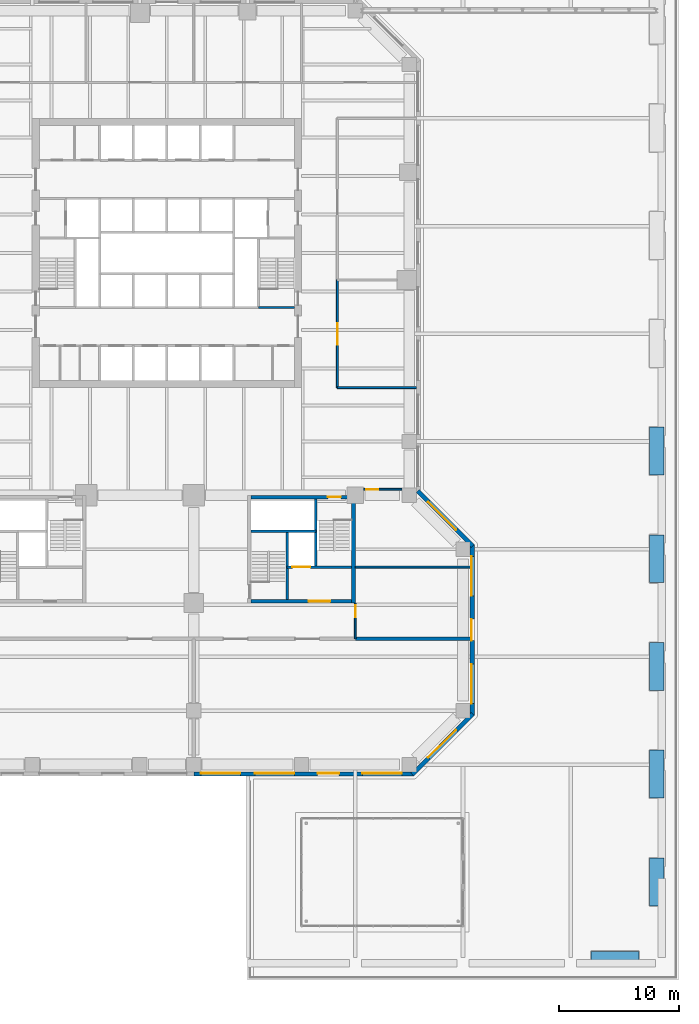
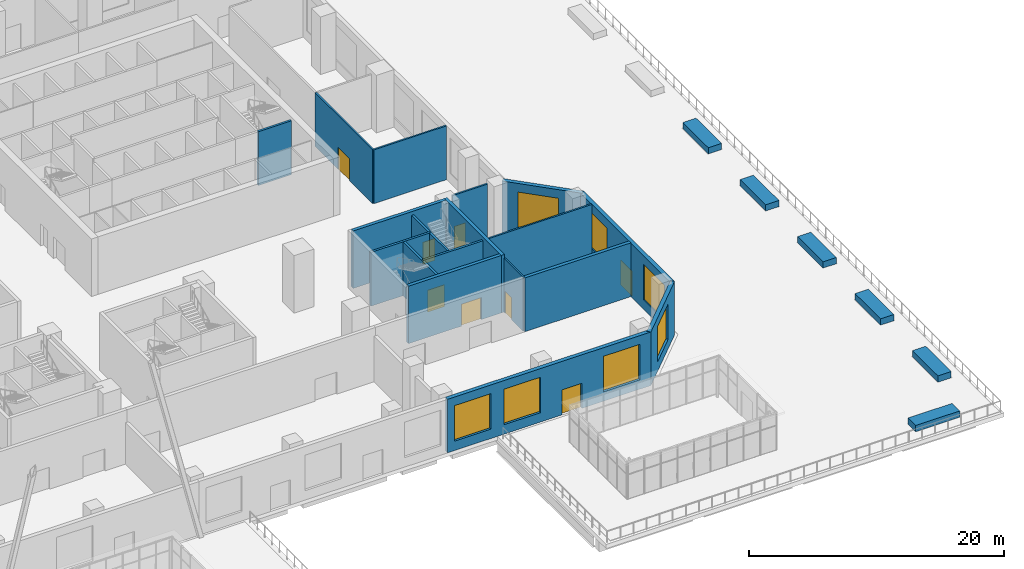
# One storey, part 24 of 33: 24 walls, 8 doors, 7 windows, 15 openings.
"""IFC4 building model written with IfcOpenShell, lengths in metres."""

from ifc_helpers import new_model, si_unit, direction, frame, frame_2d, origin, place, context, subcontext, project, spatial, rectangle, extrude, material, layer, layer_set, constituent, constituent_set, type_object, element, fill, save


model = new_model("IFC4")

# Units and contexts
model_context = context("Model", 3, precision=1e-05, world=origin(), true_north=direction((0.0, 1.0)))
body_context = subcontext(model_context, "Body", "Model", "MODEL_VIEW")
ifc_project = project(units=[si_unit("LENGTHUNIT", "METRE"), si_unit("AREAUNIT", "SQUARE_METRE"), si_unit("VOLUMEUNIT", "CUBIC_METRE"), si_unit("PLANEANGLEUNIT", "RADIAN"), si_unit("MASSUNIT", "GRAM", prefix="KILO")], contexts=[model_context])

# Site, building, storey
site_placement = place(None, origin())
site = spatial("IfcSite", under=ifc_project, at=site_placement, CompositionType="ELEMENT")
building_placement = place(site_placement, origin())
building = spatial("IfcBuilding", under=site, at=building_placement, Name="Quoin Convention Tower", CompositionType="ELEMENT")
storey_placement = place(building_placement, frame((0.0, 0.0, 8.0)))
storey = spatial("IfcBuildingStorey", under=building, at=storey_placement, Name="L01", CompositionType="ELEMENT", Elevation=8.0)

# Wall
ifc_material_1 = material(Name="Plasterboard")
ifc_layer_1 = layer(ifc_material_1, 0.012451171875, Name="Finish")
ifc_material_2 = material(Name="Steel stud framing", Category="steel")
ifc_layer_2 = layer(ifc_material_2, 0.27490234375, Name="Structure")
ifc_layer_3 = layer(ifc_material_1, 0.012451171875, Name="Finish")
ifc_layer_set_1 = layer_set([ifc_layer_1, ifc_layer_2, ifc_layer_3], Name="Steel stud framing")
wall_type_1 = type_object("IfcWallType", Name="Acoustic wall 300", PredefinedType="PARTITIONING", material=ifc_layer_set_1)
wall_1_placement = place(storey_placement, frame((72.0, 28.5, 0.0), z_axis=(0.0, 0.0, 1.0), x_axis=(1.0, 0.0, 0.0)))
element("IfcWall", 1, at=wall_1_placement, inside=storey, type_object=wall_type_1, Name="pw-L01-011", PredefinedType="PARTITIONING", context=body_context, shape_type="SweptSolid", body=[
    extrude(rectangle(XDim=9.60009765625, YDim=0.300048828125, at=frame_2d((4.800048828125, 0.0))), origin(), (0.0, 0.0, 1.0), 5.14990234375),
])

# Wall, openings, windows, door
ifc_material_3 = material(Name="Brick masonry", Category="masonry")
ifc_layer_4 = layer(ifc_material_3, 0.35009765625)
ifc_layer_set_2 = layer_set([ifc_layer_4], Name="Brick masonry")
wall_type_2 = type_object("IfcWallType", Name="Brick facade wall", PredefinedType="STANDARD", material=ifc_layer_set_2)
wall_2_placement = place(storey_placement, frame((58.5, 17.22509765625, 0.0), z_axis=(0.0, 0.0, 1.0), x_axis=(1.0, 0.0, 0.0)))
wall_2 = element("IfcWall", 2, at=wall_2_placement, inside=storey, type_object=wall_type_2, Name="fw-L01-58500_18000", PredefinedType="STANDARD", context=body_context, shape_type="SweptSolid", body=[
    extrude(rectangle(XDim=18.3935546875, YDim=0.35009765625, at=frame_2d((9.19677734375, 0.0))), origin(), (0.0, 0.0, 1.0), 5.125),
])
opening_1_placement = place(wall_2_placement, frame((0.60009765625, 0.0, 0.89990234375)))
opening_1 = element("IfcOpeningElement", 3, at=opening_1_placement, cuts=wall_2, Name="Opening W-04", PredefinedType="OPENING", context=body_context, shape_type="SweptSolid", body=[
    extrude(rectangle(XDim=3.300048828125, YDim=3.39990234375, at=frame_2d((1.64990234375, 1.699951171875))), frame((0.0, 0.18505859375, 0.0), z_axis=(0.0, -1.0, 0.0), x_axis=(1.0, 0.0, 0.0)), (0.0, 0.0, 1.0), 0.3701171875),
])
opening_2_placement = place(wall_2_placement, frame((5.10009765625, 0.0, 0.89990234375)))
opening_2 = element("IfcOpeningElement", 4, at=opening_2_placement, cuts=wall_2, Name="Opening W-04", PredefinedType="OPENING", context=body_context, shape_type="SweptSolid", body=[
    extrude(rectangle(XDim=3.300048828125, YDim=3.39990234375, at=frame_2d((1.64990234375, 1.699951171875))), frame((0.0, 0.18505859375, 0.0), z_axis=(0.0, -1.0, 0.0), x_axis=(1.0, 0.0, 0.0)), (0.0, 0.0, 1.0), 0.3701171875),
])
opening_3_placement = place(wall_2_placement, frame((10.35009765625, 0.0, 0.0)))
opening_3 = element("IfcOpeningElement", 5, at=opening_3_placement, cuts=wall_2, Name="Opening D-T1", PredefinedType="OPENING", context=body_context, shape_type="SweptSolid", body=[
    extrude(rectangle(XDim=1.800048828125, YDim=2.39990234375, at=frame_2d((0.89990234375, 1.199951171875))), frame((0.0, 0.18505859375, 0.0), z_axis=(0.0, -1.0, 0.0), x_axis=(1.0, 0.0, 0.0)), (0.0, 0.0, 1.0), 0.3701171875),
])
opening_4_placement = place(wall_2_placement, frame((14.10009765625, 0.0, 0.89990234375)))
opening_4 = element("IfcOpeningElement", 6, at=opening_4_placement, cuts=wall_2, Name="Opening W-04", PredefinedType="OPENING", context=body_context, shape_type="SweptSolid", body=[
    extrude(rectangle(XDim=3.300048828125, YDim=3.39990234375, at=frame_2d((1.64990234375, 1.699951171875))), frame((0.0, 0.18505859375, 0.0), z_axis=(0.0, -1.0, 0.0), x_axis=(1.0, 0.0, 0.0)), (0.0, 0.0, 1.0), 0.3701171875),
])
ifc_material_4 = material(Name="Aluminium", Category="aluminium")
ifc_constituent_1 = constituent(ifc_material_4, Name="Frame")
ifc_material_5 = material(Name="Insulated glass", Category="glass")
ifc_constituent_2 = constituent(ifc_material_5, Name="Glazing")
ifc_constituent_set_1 = constituent_set(constituents=[ifc_constituent_1, ifc_constituent_2], Name="Aluminium")
window_type = type_object("IfcWindowType", Name="Convention window L01", PartitioningType="TRIPLE_PANEL_VERTICAL", PredefinedType="WINDOW", material=ifc_constituent_set_1)
window_1_placement = place(opening_1_placement, origin())
window_1 = element("IfcWindow", 7, at=window_1_placement, inside=storey, type_object=window_type, Name="win-L01-60750_17225", OverallHeight=3.39990234375, OverallWidth=3.300048828125, PartitioningType="SINGLE_PANEL", PredefinedType="WINDOW", context=body_context, shape_type="SweptSolid", body=[
    extrude(rectangle(XDim=3.300048828125, YDim=3.39990234375, at=frame_2d((1.64990234375, 1.699951171875))), frame((0.0, 0.0849609375, 0.0), z_axis=(0.0, -1.0, 0.0), x_axis=(1.0, 0.0, 0.0)), (0.0, 0.0, 1.0), 0.06005859375),
])
fill(opening_1, window_1)
window_2_placement = place(opening_2_placement, origin())
window_2 = element("IfcWindow", 8, at=window_2_placement, inside=storey, type_object=window_type, Name="win-L01-65250_17225", OverallHeight=3.39990234375, OverallWidth=3.300048828125, PartitioningType="SINGLE_PANEL", PredefinedType="WINDOW", context=body_context, shape_type="SweptSolid", body=[
    extrude(rectangle(XDim=3.300048828125, YDim=3.39990234375, at=frame_2d((1.64990234375, 1.699951171875))), frame((0.0, 0.0849609375, 0.0), z_axis=(0.0, -1.0, 0.0), x_axis=(1.0, 0.0, 0.0)), (0.0, 0.0, 1.0), 0.06005859375),
])
fill(opening_2, window_2)
window_3_placement = place(opening_4_placement, origin())
window_3 = element("IfcWindow", 9, at=window_3_placement, inside=storey, type_object=window_type, Name="win-L01-74250_17225", OverallHeight=3.39990234375, OverallWidth=3.300048828125, PartitioningType="SINGLE_PANEL", PredefinedType="WINDOW", context=body_context, shape_type="SweptSolid", body=[
    extrude(rectangle(XDim=3.300048828125, YDim=3.39990234375, at=frame_2d((1.64990234375, 1.699951171875))), frame((0.0, 0.0849609375, 0.0), z_axis=(0.0, -1.0, 0.0), x_axis=(1.0, 0.0, 0.0)), (0.0, 0.0, 1.0), 0.06005859375),
])
fill(opening_4, window_3)
ifc_constituent_3 = constituent(ifc_material_4, Name="Frame")
ifc_constituent_4 = constituent(ifc_material_5, Name="Glazing")
ifc_constituent_set_2 = constituent_set(constituents=[ifc_constituent_3, ifc_constituent_4], Name="Aluminium")
door_type_1 = type_object("IfcDoorType", Name="Glazed terrace door", OperationType="DOUBLE_DOOR_SINGLE_SWING", PredefinedType="DOOR", material=ifc_constituent_set_2)
door_1_placement = place(opening_3_placement, frame((1.800048828125, 0.0, 0.0), z_axis=(0.0, 0.0, 1.0), x_axis=(-1.0, 0.0, 0.0)))
door_1 = element("IfcDoor", 10, at=door_1_placement, inside=storey, type_object=door_type_1, Name="dr-L01-69750_17225", OperationType="DOUBLE_DOOR_SINGLE_SWING", OverallHeight=2.39990234375, OverallWidth=1.800048828125, PredefinedType="DOOR", context=body_context, shape_type="SweptSolid", body=[
    extrude(rectangle(XDim=1.800048828125, YDim=2.39990234375, at=frame_2d((0.89990234375, 1.199951171875))), frame((0.0, -0.02978515625, 0.0), z_axis=(0.0, -1.0, 0.0), x_axis=(1.0, 0.0, 0.0)), (0.0, 0.0, 1.0), 0.050048828125),
])
fill(opening_3, door_1)

# Wall, opening, window
wall_3_placement = place(storey_placement, frame((76.769775390625, 17.173583984375, 0.0), z_axis=(0.0, 0.0, 1.0), x_axis=(0.707106781187, 0.707106781187, 0.0)))
wall_3 = element("IfcWall", 11, at=wall_3_placement, inside=storey, type_object=wall_type_2, Name="fw-L01-76500_18000", PredefinedType="STANDARD", context=body_context, shape_type="SweptSolid", body=[
    extrude(rectangle(XDim=7.151123046875, YDim=0.35009765625, at=frame_2d((3.57568359375, 0.0))), origin(), (0.0, 0.0, 1.0), 5.125),
])
opening_5_placement = place(wall_3_placement, frame((1.925537109375, 0.0, 0.89990234375)))
opening_5 = element("IfcOpeningElement", 12, at=opening_5_placement, cuts=wall_3, Name="Opening W-04", PredefinedType="OPENING", context=body_context, shape_type="SweptSolid", body=[
    extrude(rectangle(XDim=3.300048828125, YDim=3.39990234375, at=frame_2d((1.64990234375, 1.699951171875))), frame((0.0, 0.18505859375, 0.0), z_axis=(0.0, -1.0, 0.0), x_axis=(1.0, 0.0, 0.0)), (0.0, 0.0, 1.0), 0.3701171875),
])
window_4_placement = place(opening_5_placement, origin())
window_4 = element("IfcWindow", 13, at=window_4_placement, inside=storey, type_object=window_type, Name="win-L01-79298_19702", OverallHeight=3.39990234375, OverallWidth=3.300048828125, PartitioningType="SINGLE_PANEL", PredefinedType="WINDOW", context=body_context, shape_type="SweptSolid", body=[
    extrude(rectangle(XDim=3.300048828125, YDim=3.39990234375, at=frame_2d((1.64990234375, 1.699951171875))), frame((0.0, 0.0849609375, 0.0), z_axis=(0.0, -1.0, 0.0), x_axis=(1.0, 0.0, 0.0)), (0.0, 0.0, 1.0), 0.06005859375),
])
fill(opening_5, window_4)

# Wall, openings, windows, door
wall_4_placement = place(storey_placement, frame((81.77490234375, 22.1064453125, 0.0), z_axis=(0.0, 0.0, 1.0), x_axis=(0.0, 1.0, 0.0)))
wall_4 = element("IfcWall", 14, at=wall_4_placement, inside=storey, type_object=wall_type_2, Name="fw-L01-81000_22500", PredefinedType="STANDARD", context=body_context, shape_type="SweptSolid", body=[
    extrude(rectangle(XDim=14.287109375, YDim=0.35009765625, at=frame_2d((7.1435546875, 0.0))), origin(), (0.0, 0.0, 1.0), 5.125),
])
opening_6_placement = place(wall_4_placement, frame((0.993408203125, 0.0, 0.89990234375)))
opening_6 = element("IfcOpeningElement", 15, at=opening_6_placement, cuts=wall_4, Name="Opening W-04", PredefinedType="OPENING", context=body_context, shape_type="SweptSolid", body=[
    extrude(rectangle(XDim=3.300048828125, YDim=3.39990234375, at=frame_2d((1.64990234375, 1.699951171875))), frame((0.0, 0.18505859375, 0.0), z_axis=(0.0, -1.0, 0.0), x_axis=(1.0, 0.0, 0.0)), (0.0, 0.0, 1.0), 0.3701171875),
])
opening_7_placement = place(wall_4_placement, frame((6.243408203125, 0.0, 0.0)))
opening_7 = element("IfcOpeningElement", 16, at=opening_7_placement, cuts=wall_4, Name="Opening D-T1", PredefinedType="OPENING", context=body_context, shape_type="SweptSolid", body=[
    extrude(rectangle(XDim=1.800048828125, YDim=2.39990234375, at=frame_2d((0.89990234375, 1.199951171875))), frame((0.0, 0.18505859375, 0.0), z_axis=(0.0, -1.0, 0.0), x_axis=(1.0, 0.0, 0.0)), (0.0, 0.0, 1.0), 0.3701171875),
])
opening_8_placement = place(wall_4_placement, frame((9.993408203125, 0.0, 0.89990234375)))
opening_8 = element("IfcOpeningElement", 17, at=opening_8_placement, cuts=wall_4, Name="Opening W-04", PredefinedType="OPENING", context=body_context, shape_type="SweptSolid", body=[
    extrude(rectangle(XDim=3.300048828125, YDim=3.39990234375, at=frame_2d((1.64990234375, 1.699951171875))), frame((0.0, 0.18505859375, 0.0), z_axis=(0.0, -1.0, 0.0), x_axis=(1.0, 0.0, 0.0)), (0.0, 0.0, 1.0), 0.3701171875),
])
window_5_placement = place(opening_6_placement, origin())
window_5 = element("IfcWindow", 18, at=window_5_placement, inside=storey, type_object=window_type, Name="win-L01-81775_24750", OverallHeight=3.39990234375, OverallWidth=3.300048828125, PartitioningType="SINGLE_PANEL", PredefinedType="WINDOW", context=body_context, shape_type="SweptSolid", body=[
    extrude(rectangle(XDim=3.300048828125, YDim=3.39990234375, at=frame_2d((1.64990234375, 1.699951171875))), frame((0.0, 0.0849609375, 0.0), z_axis=(0.0, -1.0, 0.0), x_axis=(1.0, 0.0, 0.0)), (0.0, 0.0, 1.0), 0.06005859375),
])
fill(opening_6, window_5)
window_6_placement = place(opening_8_placement, origin())
window_6 = element("IfcWindow", 19, at=window_6_placement, inside=storey, type_object=window_type, Name="win-L01-81775_33750", OverallHeight=3.39990234375, OverallWidth=3.300048828125, PartitioningType="SINGLE_PANEL", PredefinedType="WINDOW", context=body_context, shape_type="SweptSolid", body=[
    extrude(rectangle(XDim=3.300048828125, YDim=3.39990234375, at=frame_2d((1.64990234375, 1.699951171875))), frame((0.0, 0.0849609375, 0.0), z_axis=(0.0, -1.0, 0.0), x_axis=(1.0, 0.0, 0.0)), (0.0, 0.0, 1.0), 0.06005859375),
])
fill(opening_8, window_6)
door_2_placement = place(opening_7_placement, frame((1.800048828125, 0.0, 0.0), z_axis=(0.0, 0.0, 1.0), x_axis=(-1.0, 0.0, 0.0)))
door_2 = element("IfcDoor", 20, at=door_2_placement, inside=storey, type_object=door_type_1, Name="dr-L01-81775_29250", OperationType="DOUBLE_DOOR_SINGLE_SWING", OverallHeight=2.39990234375, OverallWidth=1.800048828125, PredefinedType="DOOR", context=body_context, shape_type="SweptSolid", body=[
    extrude(rectangle(XDim=1.800048828125, YDim=2.39990234375, at=frame_2d((0.89990234375, 1.199951171875))), frame((0.0, -0.02978515625, 0.0), z_axis=(0.0, -1.0, 0.0), x_axis=(1.0, 0.0, 0.0)), (0.0, 0.0, 1.0), 0.050048828125),
])
fill(opening_7, door_2)

# Wall, opening, window
wall_5_placement = place(storey_placement, frame((81.826416015625, 36.269775390625, 0.0), z_axis=(0.0, 0.0, 1.0), x_axis=(-0.707125534599, 0.707088027277, 0.0)))
wall_5 = element("IfcWall", 21, at=wall_5_placement, inside=storey, type_object=wall_type_2, Name="fw-L01-81000_36000", PredefinedType="STANDARD", context=body_context, shape_type="SweptSolid", body=[
    extrude(rectangle(XDim=6.509033203125, YDim=0.35009765625, at=frame_2d((3.25439453125, 0.0))), origin(), (0.0, 0.0, 1.0), 5.125),
])
opening_9_placement = place(wall_5_placement, frame((1.925537109375, 0.0, 0.89990234375)))
opening_9 = element("IfcOpeningElement", 22, at=opening_9_placement, cuts=wall_5, Name="Opening W-04", PredefinedType="OPENING", context=body_context, shape_type="SweptSolid", body=[
    extrude(rectangle(XDim=3.300048828125, YDim=3.39990234375, at=frame_2d((1.64990234375, 1.699951171875))), frame((0.0, 0.18505859375, 0.0), z_axis=(0.0, -1.0, 0.0), x_axis=(1.0, 0.0, 0.0)), (0.0, 0.0, 1.0), 0.3701171875),
])
window_7_placement = place(opening_9_placement, origin())
window_7 = element("IfcWindow", 23, at=window_7_placement, inside=storey, type_object=window_type, Name="win-L01-79298_38798", OverallHeight=3.39990234375, OverallWidth=3.300048828125, PartitioningType="SINGLE_PANEL", PredefinedType="WINDOW", context=body_context, shape_type="SweptSolid", body=[
    extrude(rectangle(XDim=3.300048828125, YDim=3.39990234375, at=frame_2d((1.64990234375, 1.699951171875))), frame((0.0, 0.0849609375, 0.0), z_axis=(0.0, -1.0, 0.0), x_axis=(1.0, 0.0, 0.0)), (0.0, 0.0, 1.0), 0.06005859375),
])
fill(opening_9, window_7)

# Wall
ifc_material_6 = material(Name="Concrete C50", Category="concrete")
ifc_layer_5 = layer(ifc_material_6, 0.199951171875)
ifc_layer_set_3 = layer_set([ifc_layer_5], Name="Concrete C50")
wall_type_3 = type_object("IfcWallType", Name="Core shaft wall", PredefinedType="SOLIDWALL", material=ifc_layer_set_3)
wall_6_placement = place(storey_placement, frame((63.89990234375, 56.199951171875, 0.0), z_axis=(0.0, 0.0, 1.0), x_axis=(1.0, 0.0, 0.0)))
element("IfcWall", 24, at=wall_6_placement, inside=storey, type_object=wall_type_3, Name="cr-C1-L01-h6700_18900", PredefinedType="SOLIDWALL", context=body_context, shape_type="SweptSolid", body=[
    extrude(rectangle(XDim=3.0, YDim=0.199951171875, at=frame_2d((1.5, 0.0))), origin(), (0.0, 0.0, 1.0), 5.14990234375),
])

# Wall, opening, door
wall_7_placement = place(storey_placement, frame((66.300048828125, 34.5, 0.0), z_axis=(0.0, 0.0, 1.0), x_axis=(1.0, 0.0, 0.0)))
wall_7 = element("IfcWall", 25, at=wall_7_placement, inside=storey, type_object=wall_type_3, Name="cr-P5-L01-h3000_3300", PredefinedType="SOLIDWALL", context=body_context, shape_type="SweptSolid", body=[
    extrude(rectangle(XDim=5.39990234375, YDim=0.199951171875, at=frame_2d((2.699951171875, 0.0))), origin(), (0.0, 0.0, 1.0), 5.14990234375),
])
opening_10_placement = place(wall_7_placement, frame((0.449951171875, 0.0, 0.0)))
opening_10 = element("IfcOpeningElement", 26, at=opening_10_placement, cuts=wall_7, Name="Opening LDGL2", PredefinedType="OPENING", context=body_context, shape_type="SweptSolid", body=[
    extrude(rectangle(XDim=1.5, YDim=2.10009765625, at=frame_2d((0.75, 1.050048828125))), frame((0.0, 0.10986328125, 0.0), z_axis=(0.0, -1.0, 0.0), x_axis=(1.0, 0.0, 0.0)), (0.0, 0.0, 1.0), 0.219970703125),
])
ifc_material_7 = material(Name="Steel door leaf", Category="steel")
door_type_2 = type_object("IfcDoorType", Name="Lift landing door 1500 x 2100", OperationType="DOUBLE_DOOR_SLIDING", PredefinedType="DOOR", material=ifc_material_7)
door_3_placement = place(opening_10_placement, origin())
door_3 = element("IfcDoor", 27, at=door_3_placement, inside=storey, type_object=door_type_2, Name="cd-P5-L01-CEN-R2-LDGL2", OperationType="DOUBLE_DOOR_SLIDING", OverallHeight=2.10009765625, OverallWidth=1.5, PredefinedType="DOOR", context=body_context, shape_type="SweptSolid", body=[
    extrude(rectangle(XDim=1.5, YDim=2.10009765625, at=frame_2d((0.75, 1.050048828125))), frame((0.0, 0.02490234375, 0.0), z_axis=(0.0, -1.0, 0.0), x_axis=(1.0, 0.0, 0.0)), (0.0, 0.0, 1.0), 0.050048828125),
])
fill(opening_10, door_3)

# Walls
wall_8_placement = place(storey_placement, frame((63.300048828125, 37.5, 0.0), z_axis=(0.0, 0.0, 1.0), x_axis=(1.0, 0.0, 0.0)))
element("IfcWall", 28, at=wall_8_placement, inside=storey, type_object=wall_type_3, Name="cr-P5-L01-h6000_300", PredefinedType="SOLIDWALL", context=body_context, shape_type="SweptSolid", body=[
    extrude(rectangle(XDim=5.39990234375, YDim=0.199951171875, at=frame_2d((2.699951171875, 0.0))), origin(), (0.0, 0.0, 1.0), 5.14990234375),
])
for number, where, z_axis, x_axis, name in (
    (29, (66.300048828125, 31.800048828125, 0.0), (0.0, 0.0, 1.0), (0.0, 1.0, 0.0), "cr-P5-L01-v3300_300"),
    (30, (68.699951171875, 34.5, 0.0), (0.0, 0.0, 1.0), (0.0, 1.0, 0.0), "cr-P5-L01-v5700_3000"),
):
    element("IfcWall", number, at=place(storey_placement, frame(where, z_axis=z_axis, x_axis=x_axis)), inside=storey, type_object=wall_type_3, Name=name, PredefinedType="SOLIDWALL", context=body_context, shape_type="SweptSolid", body=[
        extrude(rectangle(XDim=5.699951171875, YDim=0.199951171875, at=frame_2d((2.85009765625, 0.0))), origin(), (0.0, 0.0, 1.0), 5.14990234375),
    ])

# Wall, opening, door
ifc_layer_6 = layer(ifc_material_1, 0.012451171875, Name="Finish")
ifc_layer_7 = layer(ifc_material_2, 0.125, Name="Structure")
ifc_layer_8 = layer(ifc_material_1, 0.012451171875, Name="Finish")
ifc_layer_set_4 = layer_set([ifc_layer_6, ifc_layer_7, ifc_layer_8], Name="Steel stud framing")
wall_type_4 = type_object("IfcWallType", Name="Partition wall 150", PredefinedType="PARTITIONING", material=ifc_layer_set_4)
wall_9_placement = place(storey_placement, frame((72.0, 28.5, 0.0), z_axis=(0.0, 0.0, 1.0), x_axis=(0.0, 1.0, 0.0)))
wall_9 = element("IfcWall", 31, at=wall_9_placement, inside=storey, type_object=wall_type_4, Name="pw-L01-012", PredefinedType="PARTITIONING", context=body_context, shape_type="SweptSolid", body=[
    extrude(rectangle(XDim=3.0, YDim=0.14990234375, at=frame_2d((1.5, 0.0))), origin(), (0.0, 0.0, 1.0), 5.14990234375),
])
opening_11_placement = place(wall_9_placement, frame((1.800048828125, 0.0, 0.0)))
opening_11 = element("IfcOpeningElement", 32, at=opening_11_placement, cuts=wall_9, Name="Opening DPD1-09", PredefinedType="OPENING", context=body_context, shape_type="SweptSolid", body=[
    extrude(rectangle(XDim=1.0, YDim=2.10009765625, at=frame_2d((0.5, 1.050048828125))), frame((0.0, 0.0849609375, 0.0), z_axis=(0.0, -1.0, 0.0), x_axis=(1.0, 0.0, 0.0)), (0.0, 0.0, 1.0), 0.169921875),
])
door_type_3 = type_object("IfcDoorType", Name="Single leaf door 1000", OperationType="SINGLE_SWING_LEFT", PredefinedType="DOOR", material=ifc_material_7)
door_4_placement = place(opening_11_placement, frame((1.0, 0.0, 0.0), z_axis=(0.0, 0.0, 1.0), x_axis=(-1.0, 0.0, 0.0)))
door_4 = element("IfcDoor", 33, at=door_4_placement, inside=storey, type_object=door_type_3, Name="dr-L01-011", OperationType="SINGLE_SWING_LEFT", OverallHeight=2.10009765625, OverallWidth=1.0, PredefinedType="DOOR", context=body_context, shape_type="SweptSolid", body=[
    extrude(rectangle(XDim=1.0, YDim=2.10009765625, at=frame_2d((0.5, 1.050048828125))), frame((0.0, 0.02490234375, 0.0), z_axis=(0.0, -1.0, 0.0), x_axis=(1.0, 0.0, 0.0)), (0.0, 0.0, 1.0), 0.050048828125),
])
fill(opening_11, door_4)

# Wall
wall_10_placement = place(storey_placement, frame((72.0, 34.5, 0.0), z_axis=(0.0, 0.0, 1.0), x_axis=(1.0, 0.0, 0.0)))
element("IfcWall", 34, at=wall_10_placement, inside=storey, type_object=wall_type_4, Name="pw-L01-019", PredefinedType="PARTITIONING", context=body_context, shape_type="SweptSolid", body=[
    extrude(rectangle(XDim=9.60009765625, YDim=0.14990234375, at=frame_2d((4.800048828125, 0.0))), origin(), (0.0, 0.0, 1.0), 5.14990234375),
])

# Wall, opening, door
wall_11_placement = place(storey_placement, frame((72.699951171875, 41.0, 0.0), z_axis=(0.0, 0.0, 1.0), x_axis=(1.0, 0.0, 0.0)))
wall_11 = element("IfcWall", 35, at=wall_11_placement, inside=storey, type_object=wall_type_4, Name="pw-L01-023", PredefinedType="PARTITIONING", context=body_context, shape_type="SweptSolid", body=[
    extrude(rectangle(XDim=3.199951171875, YDim=0.14990234375, at=frame_2d((1.60009765625, 0.0))), origin(), (0.0, 0.0, 1.0), 5.14990234375),
])
opening_12_placement = place(wall_11_placement, frame((0.219970703125, 0.0, 0.0)))
opening_12 = element("IfcOpeningElement", 36, at=opening_12_placement, cuts=wall_11, Name="Opening DPD1-13", PredefinedType="OPENING", context=body_context, shape_type="SweptSolid", body=[
    extrude(rectangle(XDim=1.0, YDim=2.10009765625, at=frame_2d((0.5, 1.050048828125))), frame((0.0, 0.0849609375, 0.0), z_axis=(0.0, -1.0, 0.0), x_axis=(1.0, 0.0, 0.0)), (0.0, 0.0, 1.0), 0.169921875),
])
door_5_placement = place(opening_12_placement, frame((1.0, 0.0, 0.0), z_axis=(0.0, 0.0, 1.0), x_axis=(-1.0, 0.0, 0.0)))
door_5 = element("IfcDoor", 37, at=door_5_placement, inside=storey, type_object=door_type_3, Name="dr-L01-012", OperationType="SINGLE_SWING_RIGHT", OverallHeight=2.10009765625, OverallWidth=1.0, PredefinedType="DOOR", context=body_context, shape_type="SweptSolid", body=[
    extrude(rectangle(XDim=1.0, YDim=2.10009765625, at=frame_2d((0.5, 1.050048828125))), frame((0.0, 0.02490234375, 0.0), z_axis=(0.0, -1.0, 0.0), x_axis=(1.0, 0.0, 0.0)), (0.0, 0.0, 1.0), 0.050048828125),
])
fill(opening_12, door_5)

# Wall
wall_12_placement = place(storey_placement, frame((70.5, 49.5, 0.0), z_axis=(0.0, 0.0, 1.0), x_axis=(1.0, 0.0, 0.0)))
element("IfcWall", 38, at=wall_12_placement, inside=storey, type_object=wall_type_4, Name="pw-L01-028", PredefinedType="PARTITIONING", context=body_context, shape_type="SweptSolid", body=[
    extrude(rectangle(XDim=6.60009765625, YDim=0.14990234375, at=frame_2d((3.300048828125, 0.0))), origin(), (0.0, 0.0, 1.0), 5.14990234375),
])

# Wall, opening, door
wall_13_placement = place(storey_placement, frame((70.5, 49.5, 0.0), z_axis=(0.0, 0.0, 1.0), x_axis=(0.0, 1.0, 0.0)))
wall_13 = element("IfcWall", 39, at=wall_13_placement, inside=storey, type_object=wall_type_4, Name="pw-L01-029", PredefinedType="PARTITIONING", context=body_context, shape_type="SweptSolid", body=[
    extrude(rectangle(XDim=9.0, YDim=0.14990234375, at=frame_2d((4.5, 0.0))), origin(), (0.0, 0.0, 1.0), 5.14990234375),
])
opening_13_placement = place(wall_13_placement, frame((3.60009765625, 0.0, 0.0)))
opening_13 = element("IfcOpeningElement", 40, at=opening_13_placement, cuts=wall_13, Name="Opening DPD1-15", PredefinedType="OPENING", context=body_context, shape_type="SweptSolid", body=[
    extrude(rectangle(XDim=1.800048828125, YDim=2.10009765625, at=frame_2d((0.89990234375, 1.050048828125))), frame((0.0, 0.0849609375, 0.0), z_axis=(0.0, -1.0, 0.0), x_axis=(1.0, 0.0, 0.0)), (0.0, 0.0, 1.0), 0.169921875),
])
door_type_4 = type_object("IfcDoorType", Name="Double leaf door 1800", OperationType="DOUBLE_DOOR_SINGLE_SWING", PredefinedType="DOOR", material=ifc_material_7)
door_6_placement = place(opening_13_placement, frame((1.800048828125, 0.0, 0.0), z_axis=(0.0, 0.0, 1.0), x_axis=(-1.0, 0.0, 0.0)))
door_6 = element("IfcDoor", 41, at=door_6_placement, inside=storey, type_object=door_type_4, Name="dr-L01-023", OperationType="DOUBLE_DOOR_SINGLE_SWING", OverallHeight=2.10009765625, OverallWidth=1.800048828125, PredefinedType="DOOR", context=body_context, shape_type="SweptSolid", body=[
    extrude(rectangle(XDim=1.800048828125, YDim=2.10009765625, at=frame_2d((0.89990234375, 1.050048828125))), frame((0.0, 0.02490234375, 0.0), z_axis=(0.0, -1.0, 0.0), x_axis=(1.0, 0.0, 0.0)), (0.0, 0.0, 1.0), 0.050048828125),
])
fill(opening_13, door_6)

# Walls
ifc_material_8 = material(Name="Concrete C40", Category="concrete")
ifc_layer_9 = layer(ifc_material_8, 1.199951171875)
ifc_layer_set_5 = layer_set([ifc_layer_9], Name="Concrete C40")
wall_type_5 = type_object("IfcWallType", Name="Planter bed", PredefinedType="STANDARD", material=ifc_layer_set_5)
for number, where, z_axis, x_axis, name in (
    (42, (97.199951171875, 46.199951171875, 0.0), (0.0, 0.0, 1.0), (0.0, -1.0, 0.0), "PLANTER L01 16"),
    (43, (97.199951171875, 37.199951171875, 0.0), (0.0, 0.0, 1.0), (0.0, -1.0, 0.0), "PLANTER L01 17"),
    (44, (97.199951171875, 28.199951171875, 0.0), (0.0, 0.0, 1.0), (0.0, -1.0, 0.0), "PLANTER L01 18"),
    (45, (97.199951171875, 19.199951171875, 0.0), (0.0, 0.0, 1.0), (0.0, -1.0, 0.0), "PLANTER L01 19"),
    (46, (97.199951171875, 10.199951171875, 0.0), (0.0, 0.0, 1.0), (0.0, -1.0, 0.0), "PLANTER L01 20"),
    (47, (95.699951171875, 1.800048828125, 0.0), (0.0, 0.0, 1.0), (-1.0, 0.0, 0.0), "PLANTER L01 21"),
):
    element("IfcWall", number, at=place(storey_placement, frame(where, z_axis=z_axis, x_axis=x_axis)), inside=storey, type_object=wall_type_5, Name=name, PredefinedType="STANDARD", context=body_context, shape_type="SweptSolid", body=[
        extrude(rectangle(XDim=4.0, YDim=1.199951171875, at=frame_2d((2.0, 0.0))), origin(), (0.0, 0.0, 1.0), 0.60009765625),
    ])

# Wall, opening, door
ifc_material_9 = material(Name="Concrete C100 (100 MPa)", Category="concrete")
ifc_layer_10 = layer(ifc_material_9, 0.300048828125)
ifc_layer_set_6 = layer_set([ifc_layer_10], Name="Concrete C100 (100 MPa)")
wall_type_6 = type_object("IfcWallType", Name="RC CORE WALL 300 C100", PredefinedType="SHEAR", material=ifc_layer_set_6)
wall_14_placement = place(storey_placement, frame((63.300048828125, 31.64990234375, 0.0), z_axis=(0.0, 0.0, 1.0), x_axis=(1.0, 0.0, 0.0)))
wall_14 = element("IfcWall", 48, at=wall_14_placement, inside=storey, type_object=wall_type_6, Name="cwl-P5-L01-S", PredefinedType="SHEAR", context=body_context, shape_type="SweptSolid", body=[
    extrude(rectangle(XDim=8.39990234375, YDim=0.300048828125, at=frame_2d((4.199951171875, 0.0))), origin(), (0.0, 0.0, 1.0), 5.5),
])
opening_14_placement = place(wall_14_placement, frame((4.800048828125, 0.0, 0.0)))
opening_14 = element("IfcOpeningElement", 49, at=opening_14_placement, cuts=wall_14, Name="Opening DCV1-53", PredefinedType="OPENING", context=body_context, shape_type="SweptSolid", body=[
    extrude(rectangle(XDim=1.800048828125, YDim=2.10009765625, at=frame_2d((0.89990234375, 1.050048828125))), frame((0.0, 0.159912109375, 0.0), z_axis=(0.0, -1.0, 0.0), x_axis=(1.0, 0.0, 0.0)), (0.0, 0.0, 1.0), 0.320068359375),
])
door_type_5 = type_object("IfcDoorType", Name="Goods lobby door 1800 x 2100", OperationType="SINGLE_SWING_LEFT", PredefinedType="DOOR", material=ifc_material_7)
door_7_placement = place(opening_14_placement, origin())
door_7 = element("IfcDoor", 50, at=door_7_placement, inside=storey, type_object=door_type_5, Name="cd-P5-L01-R2-S", OperationType="SINGLE_SWING_LEFT", OverallHeight=2.10009765625, OverallWidth=1.800048828125, PredefinedType="DOOR", context=body_context, shape_type="SweptSolid", body=[
    extrude(rectangle(XDim=1.800048828125, YDim=2.10009765625, at=frame_2d((0.89990234375, 1.050048828125))), frame((0.0, 0.02490234375, 0.0), z_axis=(0.0, -1.0, 0.0), x_axis=(1.0, 0.0, 0.0)), (0.0, 0.0, 1.0), 0.050048828125),
])
fill(opening_14, door_7)

wall_15_placement = place(storey_placement, frame((63.300048828125, 40.35009765625, 0.0), z_axis=(0.0, 0.0, 1.0), x_axis=(1.0, 0.0, 0.0)))
wall_15 = element("IfcWall", 51, at=wall_15_placement, inside=storey, type_object=wall_type_6, Name="cwl-P5-L01-N", PredefinedType="SHEAR", context=body_context, shape_type="SweptSolid", body=[
    extrude(rectangle(XDim=8.39990234375, YDim=0.300048828125, at=frame_2d((4.199951171875, 0.0))), origin(), (0.0, 0.0, 1.0), 5.5),
])
opening_15_placement = place(wall_15_placement, frame((6.39990234375, 0.0, 0.0)))
opening_15 = element("IfcOpeningElement", 52, at=opening_15_placement, cuts=wall_15, Name="Opening SD10", PredefinedType="OPENING", context=body_context, shape_type="SweptSolid", body=[
    extrude(rectangle(XDim=1.10009765625, YDim=2.10009765625, at=frame_2d((0.550048828125, 1.050048828125))), frame((0.0, 0.159912109375, 0.0), z_axis=(0.0, -1.0, 0.0), x_axis=(1.0, 0.0, 0.0)), (0.0, 0.0, 1.0), 0.320068359375),
])
door_type_6 = type_object("IfcDoorType", Name="Stair door 1100 x 2100", OperationType="SINGLE_SWING_RIGHT", PredefinedType="DOOR", material=ifc_material_7)
door_8_placement = place(opening_15_placement, frame((1.10009765625, 0.0, 0.0), z_axis=(0.0, 0.0, 1.0), x_axis=(-1.0, 0.0, 0.0)))
door_8 = element("IfcDoor", 53, at=door_8_placement, inside=storey, type_object=door_type_6, Name="cd-P5-L01-SB-N", OperationType="SINGLE_SWING_LEFT", OverallHeight=2.10009765625, OverallWidth=1.10009765625, PredefinedType="DOOR", context=body_context, shape_type="SweptSolid", body=[
    extrude(rectangle(XDim=1.10009765625, YDim=2.10009765625, at=frame_2d((0.550048828125, 1.050048828125))), frame((0.0, 0.02490234375, 0.0), z_axis=(0.0, -1.0, 0.0), x_axis=(1.0, 0.0, 0.0)), (0.0, 0.0, 1.0), 0.050048828125),
])
fill(opening_15, door_8)

# Wall
wall_16_placement = place(storey_placement, frame((71.85009765625, 31.5, 0.0), z_axis=(0.0, 0.0, 1.0), x_axis=(0.0, 1.0, 0.0)))
element("IfcWall", 54, at=wall_16_placement, inside=storey, type_object=wall_type_6, Name="cwl-P5-L01-E", PredefinedType="SHEAR", context=body_context, shape_type="SweptSolid", body=[
    extrude(rectangle(XDim=9.0, YDim=0.300048828125, at=frame_2d((4.5, 0.0))), origin(), (0.0, 0.0, 1.0), 5.5),
])

save(model, "model.ifc")
